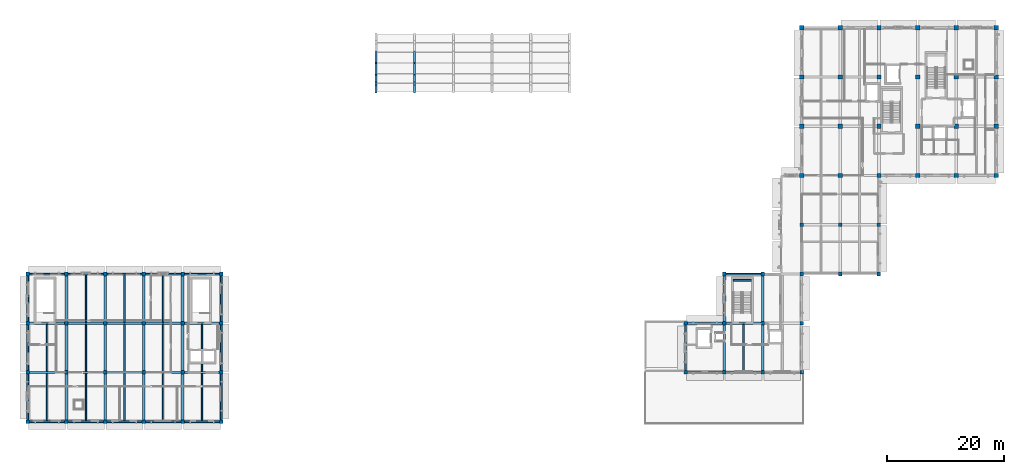
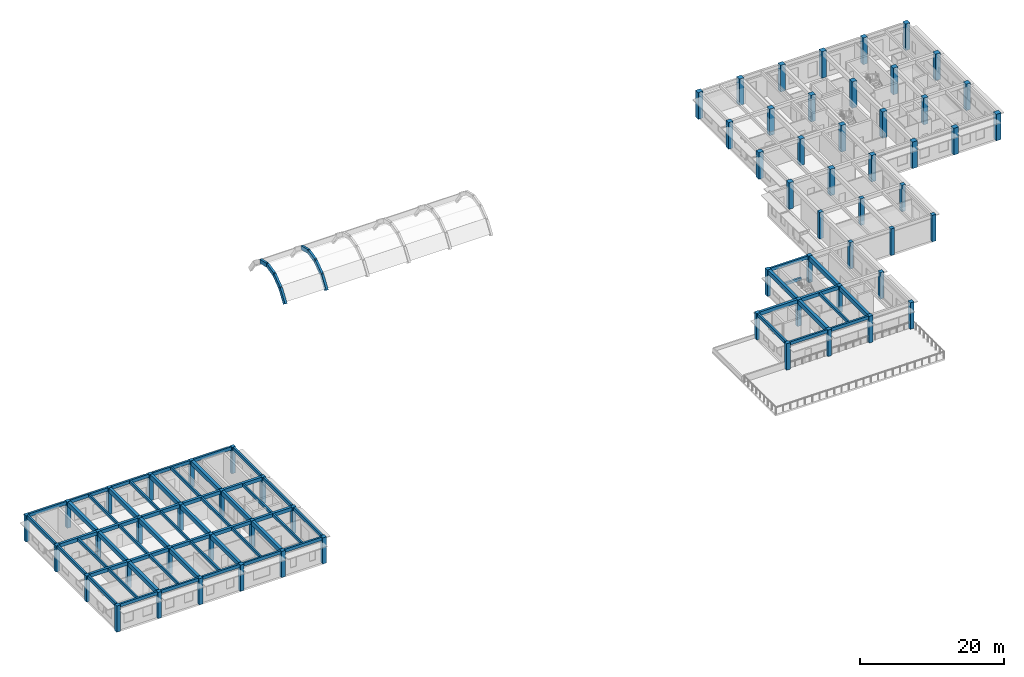
# One storey, part 1 of 20: 71 beams, 64 columns.
"""IFC4 building model written with IfcOpenShell, lengths in metres."""

from ifc_helpers import new_model, si_unit, direction, frame, origin, origin_2d, place, context, subcontext, project, spatial, rectangle, extrude, material, material_profile, profile_set, type_object, element, save


model = new_model("IFC4")

# Units and contexts
model_context = context("Model", 3, precision=1e-05, world=origin(), true_north=direction((0.0, 1.0)))
body_context = subcontext(model_context, "Body", "Model", "MODEL_VIEW")
ifc_project = project(units=[si_unit("LENGTHUNIT", "METRE"), si_unit("AREAUNIT", "SQUARE_METRE"), si_unit("VOLUMEUNIT", "CUBIC_METRE"), si_unit("PLANEANGLEUNIT", "RADIAN"), si_unit("MASSUNIT", "GRAM", prefix="KILO")], contexts=[model_context])

# Site, building, storey
site_placement = place(None, origin())
site = spatial("IfcSite", under=ifc_project, at=site_placement, CompositionType="ELEMENT")
building_placement = place(site_placement, origin())
building = spatial("IfcBuilding", under=site, at=building_placement, Name="Kolvaren Faculty of Natural Sciences", CompositionType="ELEMENT")
storey_placement = place(building_placement, frame((0.0, 0.0, 24.0)))
storey = spatial("IfcBuildingStorey", under=building, at=storey_placement, Name="L05", CompositionType="ELEMENT", Elevation=24.0)

# Columns
ifc_material_1 = material(Name="Concrete C35/45", Category="concrete")
ifc_material_profile_1 = material_profile(ifc_material_1, rectangle(XDim=0.60009765625, YDim=0.60009765625, at=origin_2d()), Name="RC COL 600x600")
ifc_profile_set_1 = profile_set([ifc_material_profile_1], Name="Concrete C35/45")
column_type_1 = type_object("IfcColumnType", Name="FrameColumn_600x600", PredefinedType="COLUMN", material=ifc_profile_set_1)
for number, where, z_axis, x_axis, name in (
    (1, (6.800048828125, 17.0, 0.0), (0.0, 0.0, 1.0), (1.0, 0.0, 0.0), "L05 column FC-60 at 2/C"),
    (2, (6.800048828125, 25.39990234375, 0.0), (0.0, 0.0, 1.0), (1.0, 0.0, 0.0), "L05 column FC-60 at 2/D"),
    (3, (6.800048828125, 33.800048828125, 0.0), (0.0, 0.0, 1.0), (1.0, 0.0, 0.0), "L05 column FC-60 at 2/E"),
    (4, (6.800048828125, 42.199951171875, 0.0), (0.0, 0.0, 1.0), (1.0, 0.0, 0.0), "L05 column FC-60 at 2/F"),
    (5, (13.39990234375, 17.0, 0.0), (0.0, 0.0, 1.0), (1.0, 0.0, 0.0), "L05 column FC-60 at 3/C"),
    (6, (13.39990234375, 25.39990234375, 0.0), (0.0, 0.0, 1.0), (1.0, 0.0, 0.0), "L05 column FC-60 at 3/D"),
    (7, (13.39990234375, 33.800048828125, 0.0), (0.0, 0.0, 1.0), (1.0, 0.0, 0.0), "L05 column FC-60 at 3/E"),
    (8, (13.39990234375, 42.199951171875, 0.0), (0.0, 0.0, 1.0), (1.0, 0.0, 0.0), "L05 column FC-60 at 3/F"),
    (9, (20.0, 17.0, 0.0), (0.0, 0.0, 1.0), (1.0, 0.0, 0.0), "L05 column FC-60 at 4/C"),
    (10, (20.0, 25.39990234375, 0.0), (0.0, 0.0, 1.0), (1.0, 0.0, 0.0), "L05 column FC-60 at 4/D"),
    (11, (20.0, 33.800048828125, 0.0), (0.0, 0.0, 1.0), (1.0, 0.0, 0.0), "L05 column FC-60 at 4/E"),
    (12, (20.0, 42.199951171875, 0.0), (0.0, 0.0, 1.0), (1.0, 0.0, 0.0), "L05 column FC-60 at 4/F"),
    (13, (26.60009765625, 17.0, 0.0), (0.0, 0.0, 1.0), (1.0, 0.0, 0.0), "L05 column FC-60 at 5/C"),
    (14, (26.60009765625, 25.39990234375, 0.0), (0.0, 0.0, 1.0), (1.0, 0.0, 0.0), "L05 column FC-60 at 5/D"),
    (15, (26.60009765625, 33.800048828125, 0.0), (0.0, 0.0, 1.0), (1.0, 0.0, 0.0), "L05 column FC-60 at 5/E"),
    (16, (26.60009765625, 42.199951171875, 0.0), (0.0, 0.0, 1.0), (1.0, 0.0, 0.0), "L05 column FC-60 at 5/F"),
    (17, (33.199951171875, 17.0, 0.0), (0.0, 0.0, 1.0), (1.0, 0.0, 0.0), "L05 column FC-60 at 6/C"),
    (18, (33.199951171875, 25.39990234375, 0.0), (0.0, 0.0, 1.0), (1.0, 0.0, 0.0), "L05 column FC-60 at 6/D"),
    (19, (33.199951171875, 33.800048828125, 0.0), (0.0, 0.0, 1.0), (1.0, 0.0, 0.0), "L05 column FC-60 at 6/E"),
    (20, (33.199951171875, 42.199951171875, 0.0), (0.0, 0.0, 1.0), (1.0, 0.0, 0.0), "L05 column FC-60 at 6/F"),
    (21, (39.800048828125, 17.0, 0.0), (0.0, 0.0, 1.0), (1.0, 0.0, 0.0), "L05 column FC-60 at 7/C"),
    (22, (39.800048828125, 25.39990234375, 0.0), (0.0, 0.0, 1.0), (1.0, 0.0, 0.0), "L05 column FC-60 at 7/D"),
    (23, (39.800048828125, 33.800048828125, 0.0), (0.0, 0.0, 1.0), (1.0, 0.0, 0.0), "L05 column FC-60 at 7/E"),
    (24, (39.800048828125, 42.199951171875, 0.0), (0.0, 0.0, 1.0), (1.0, 0.0, 0.0), "L05 column FC-60 at 7/F"),
):
    element("IfcColumn", number, at=place(storey_placement, frame(where, z_axis=z_axis, x_axis=x_axis)), inside=storey, type_object=column_type_1, Name=name, PredefinedType="COLUMN", context=body_context, shape_type="SweptSolid", body=[
        extrude(rectangle(XDim=0.60009765625, YDim=0.60009765625, at=origin_2d()), origin(), (0.0, 0.0, 1.0), 4.43994140625),
    ])
for number, where, z_axis, x_axis, name in (
    (25, (119.0, 25.39990234375, 0.0), (0.0, 0.0, 1.0), (1.0, 0.0, 0.0), "L05 column FC-60 at 19/D"),
    (26, (119.0, 33.800048828125, 0.0), (0.0, 0.0, 1.0), (1.0, 0.0, 0.0), "L05 column FC-60 at 19/E"),
    (27, (125.60009765625, 25.39990234375, 0.0), (0.0, 0.0, 1.0), (1.0, 0.0, 0.0), "L05 column FC-60 at 20/D"),
    (28, (125.60009765625, 33.800048828125, 0.0), (0.0, 0.0, 1.0), (1.0, 0.0, 0.0), "L05 column FC-60 at 20/E"),
    (29, (125.60009765625, 42.199951171875, 0.0), (0.0, 0.0, 1.0), (1.0, 0.0, 0.0), "L05 column FC-60 at 20/F"),
    (30, (132.199951171875, 25.39990234375, 0.0), (0.0, 0.0, 1.0), (1.0, 0.0, 0.0), "L05 column FC-60 at 21/D"),
    (31, (132.199951171875, 33.800048828125, 0.0), (0.0, 0.0, 1.0), (1.0, 0.0, 0.0), "L05 column FC-60 at 21/E"),
    (32, (132.199951171875, 42.199951171875, 0.0), (0.0, 0.0, 1.0), (1.0, 0.0, 0.0), "L05 column FC-60 at 21/F"),
    (33, (138.800048828125, 25.39990234375, 0.0), (0.0, 0.0, 1.0), (1.0, 0.0, 0.0), "L05 column FC-60 at 22/D"),
    (34, (138.800048828125, 33.800048828125, 0.0), (0.0, 0.0, 1.0), (1.0, 0.0, 0.0), "L05 column FC-60 at 22/E"),
    (35, (138.800048828125, 42.199951171875, 0.0), (0.0, 0.0, 1.0), (1.0, 0.0, 0.0), "L05 column FC-60 at 22/F"),
    (36, (138.800048828125, 50.60009765625, 0.0), (0.0, 0.0, 1.0), (1.0, 0.0, 0.0), "L05 column FC-60 at 22/G"),
    (37, (145.39990234375, 42.199951171875, 0.0), (0.0, 0.0, 1.0), (1.0, 0.0, 0.0), "L05 column FC-60 at 23/F"),
    (38, (145.39990234375, 50.60009765625, 0.0), (0.0, 0.0, 1.0), (1.0, 0.0, 0.0), "L05 column FC-60 at 23/G"),
    (39, (152.0, 42.199951171875, 0.0), (0.0, 0.0, 1.0), (1.0, 0.0, 0.0), "L05 column FC-60 at 24/F"),
    (40, (152.0, 50.60009765625, 0.0), (0.0, 0.0, 1.0), (1.0, 0.0, 0.0), "L05 column FC-60 at 24/G"),
):
    element("IfcColumn", number, at=place(storey_placement, frame(where, z_axis=z_axis, x_axis=x_axis)), inside=storey, type_object=column_type_1, Name=name, PredefinedType="COLUMN", context=body_context, shape_type="SweptSolid", body=[
        extrude(rectangle(XDim=0.60009765625, YDim=0.60009765625, at=origin_2d()), origin(), (0.0, 0.0, 1.0), 4.5),
    ])
ifc_material_2 = material(Name="Concrete C40/50", Category="concrete")
ifc_material_profile_2 = material_profile(ifc_material_2, rectangle(XDim=0.75, YDim=0.75, at=origin_2d()), Name="RC COL 750x750")
ifc_profile_set_2 = profile_set([ifc_material_profile_2], Name="Concrete C40/50")
column_type_2 = type_object("IfcColumnType", Name="TowerColumn_750x750", PredefinedType="COLUMN", material=ifc_profile_set_2)
for number, where, z_axis, x_axis, name in (
    (41, (138.800048828125, 59.0, 0.0), (0.0, 0.0, 1.0), (1.0, 0.0, 0.0), "L05 column TC-75 at 22/H"),
    (42, (138.800048828125, 67.39990234375, 0.0), (0.0, 0.0, 1.0), (1.0, 0.0, 0.0), "L05 column TC-75 at 22/J"),
    (43, (138.800048828125, 75.800048828125, 0.0), (0.0, 0.0, 1.0), (1.0, 0.0, 0.0), "L05 column TC-75 at 22/K"),
    (44, (138.800048828125, 84.199951171875, 0.0), (0.0, 0.0, 1.0), (1.0, 0.0, 0.0), "L05 column TC-75 at 22/L"),
    (45, (145.39990234375, 59.0, 0.0), (0.0, 0.0, 1.0), (1.0, 0.0, 0.0), "L05 column TC-75 at 23/H"),
    (46, (145.39990234375, 67.39990234375, 0.0), (0.0, 0.0, 1.0), (1.0, 0.0, 0.0), "L05 column TC-75 at 23/J"),
    (47, (145.39990234375, 75.800048828125, 0.0), (0.0, 0.0, 1.0), (1.0, 0.0, 0.0), "L05 column TC-75 at 23/K"),
    (48, (145.39990234375, 84.199951171875, 0.0), (0.0, 0.0, 1.0), (1.0, 0.0, 0.0), "L05 column TC-75 at 23/L"),
    (49, (152.0, 59.0, 0.0), (0.0, 0.0, 1.0), (1.0, 0.0, 0.0), "L05 column TC-75 at 24/H"),
    (50, (152.0, 67.39990234375, 0.0), (0.0, 0.0, 1.0), (1.0, 0.0, 0.0), "L05 column TC-75 at 24/J"),
    (51, (152.0, 75.800048828125, 0.0), (0.0, 0.0, 1.0), (1.0, 0.0, 0.0), "L05 column TC-75 at 24/K"),
    (52, (152.0, 84.199951171875, 0.0), (0.0, 0.0, 1.0), (1.0, 0.0, 0.0), "L05 column TC-75 at 24/L"),
    (53, (158.60009765625, 59.0, 0.0), (0.0, 0.0, 1.0), (1.0, 0.0, 0.0), "L05 column TC-75 at 25/H"),
    (54, (158.60009765625, 67.39990234375, 0.0), (0.0, 0.0, 1.0), (1.0, 0.0, 0.0), "L05 column TC-75 at 25/J"),
    (55, (158.60009765625, 75.800048828125, 0.0), (0.0, 0.0, 1.0), (1.0, 0.0, 0.0), "L05 column TC-75 at 25/K"),
    (56, (158.60009765625, 84.199951171875, 0.0), (0.0, 0.0, 1.0), (1.0, 0.0, 0.0), "L05 column TC-75 at 25/L"),
    (57, (165.199951171875, 59.0, 0.0), (0.0, 0.0, 1.0), (1.0, 0.0, 0.0), "L05 column TC-75 at 26/H"),
    (58, (165.199951171875, 67.39990234375, 0.0), (0.0, 0.0, 1.0), (1.0, 0.0, 0.0), "L05 column TC-75 at 26/J"),
    (59, (165.199951171875, 75.800048828125, 0.0), (0.0, 0.0, 1.0), (1.0, 0.0, 0.0), "L05 column TC-75 at 26/K"),
    (60, (165.199951171875, 84.199951171875, 0.0), (0.0, 0.0, 1.0), (1.0, 0.0, 0.0), "L05 column TC-75 at 26/L"),
    (61, (172.0, 59.0, 0.0), (0.0, 0.0, 1.0), (1.0, 0.0, 0.0), "L05 column TC-75 at 27/H"),
    (62, (172.0, 67.39990234375, 0.0), (0.0, 0.0, 1.0), (1.0, 0.0, 0.0), "L05 column TC-75 at 27/J"),
    (63, (172.0, 75.800048828125, 0.0), (0.0, 0.0, 1.0), (1.0, 0.0, 0.0), "L05 column TC-75 at 27/K"),
    (64, (172.0, 84.199951171875, 0.0), (0.0, 0.0, 1.0), (1.0, 0.0, 0.0), "L05 column TC-75 at 27/L"),
):
    element("IfcColumn", number, at=place(storey_placement, frame(where, z_axis=z_axis, x_axis=x_axis)), inside=storey, type_object=column_type_2, Name=name, PredefinedType="COLUMN", context=body_context, shape_type="SweptSolid", body=[
        extrude(rectangle(XDim=0.75, YDim=0.75, at=origin_2d()), origin(), (0.0, 0.0, 1.0), 4.5),
    ])

# Beams
ifc_material_profile_3 = material_profile(ifc_material_2, rectangle(XDim=0.300048828125, YDim=0.449951171875, at=origin_2d()), Name="RC LNT 300x450")
ifc_profile_set_3 = profile_set([ifc_material_profile_3], Name="Concrete C40/50")
beam_type_1 = type_object("IfcBeamType", Name="CoreCouplingLintel_300x450", PredefinedType="LINTEL", material=ifc_profile_set_3)
beam_1_placement = place(storey_placement, frame((127.175048828125, 41.1298828125, 1.824951171875), z_axis=(1.0, 0.0, 0.0), x_axis=(0.0, 1.0, 0.0)))
element("IfcBeam", 65, at=beam_1_placement, inside=storey, type_object=beam_type_1, Name="L05 ST-3 half-landing support lintel", PredefinedType="LINTEL", context=body_context, shape_type="SweptSolid", body=[
    extrude(rectangle(XDim=0.300048828125, YDim=0.449951171875, at=origin_2d()), origin(), (0.0, 0.0, 1.0), 3.050048828125),
])
ifc_material_profile_4 = material_profile(ifc_material_1, rectangle(XDim=0.39990234375, YDim=0.60009765625, at=origin_2d()), Name="RC BM 400x600")
ifc_profile_set_4 = profile_set([ifc_material_profile_4], Name="Concrete C35/45")
beam_type_2 = type_object("IfcBeamType", Name="GridBeam_400x600", PredefinedType="BEAM", material=ifc_profile_set_4)
for number, where, z_axis, x_axis, name in (
    (66, (7.10009765625, 25.39990234375, 4.199951171875), (1.0, 0.0, 0.0), (0.0, 1.0, 0.0), "L05 beam BM-60 on grid D"),
    (67, (13.699951171875, 25.39990234375, 4.199951171875), (1.0, 0.0, 0.0), (0.0, 1.0, 0.0), "L05 beam BM-60 on grid D"),
    (68, (20.300048828125, 25.39990234375, 4.199951171875), (1.0, 0.0, 0.0), (0.0, 1.0, 0.0), "L05 beam BM-60 on grid D"),
    (69, (26.89990234375, 25.39990234375, 4.199951171875), (1.0, 0.0, 0.0), (0.0, 1.0, 0.0), "L05 beam BM-60 on grid D"),
    (70, (33.5, 25.39990234375, 4.199951171875), (1.0, 0.0, 0.0), (0.0, 1.0, 0.0), "L05 beam BM-60 on grid D"),
    (71, (7.10009765625, 33.800048828125, 4.199951171875), (1.0, 0.0, 0.0), (0.0, 1.0, 0.0), "L05 beam BM-60 on grid E"),
    (72, (13.699951171875, 33.800048828125, 4.199951171875), (1.0, 0.0, 0.0), (0.0, 1.0, 0.0), "L05 beam BM-60 on grid E"),
    (73, (20.300048828125, 33.800048828125, 4.199951171875), (1.0, 0.0, 0.0), (0.0, 1.0, 0.0), "L05 beam BM-60 on grid E"),
    (74, (26.89990234375, 33.800048828125, 4.199951171875), (1.0, 0.0, 0.0), (0.0, 1.0, 0.0), "L05 beam BM-60 on grid E"),
    (75, (33.5, 33.800048828125, 4.199951171875), (1.0, 0.0, 0.0), (0.0, 1.0, 0.0), "L05 beam BM-60 on grid E"),
    (76, (119.300048828125, 33.800048828125, 4.199951171875), (1.0, 0.0, 0.0), (0.0, 1.0, 0.0), "L05 beam BM-60 on grid E"),
    (77, (125.89990234375, 33.800048828125, 4.199951171875), (1.0, 0.0, 0.0), (0.0, 1.0, 0.0), "L05 beam BM-60 on grid E"),
):
    element("IfcBeam", number, at=place(storey_placement, frame(where, z_axis=z_axis, x_axis=x_axis)), inside=storey, type_object=beam_type_2, Name=name, PredefinedType="BEAM", context=body_context, shape_type="SweptSolid", body=[
        extrude(rectangle(XDim=0.39990234375, YDim=0.60009765625, at=origin_2d()), origin(), (0.0, 0.0, 1.0), 6.0),
    ])
ifc_material_profile_5 = material_profile(ifc_material_1, rectangle(XDim=0.260009765625, YDim=0.5, at=origin_2d()), Name="RC JST 260x500")
ifc_profile_set_5 = profile_set([ifc_material_profile_5], Name="Concrete C35/45")
beam_type_3 = type_object("IfcBeamType", Name="LabRibJoist_260x500", PredefinedType="JOIST", material=ifc_profile_set_5)
beam_2_placement = place(storey_placement, frame((10.10009765625, 17.14990234375, 4.25), z_axis=(0.0, 1.0, 0.0), x_axis=(-1.0, 0.0, 0.0)))
element("IfcBeam", 78, at=beam_2_placement, inside=storey, type_object=beam_type_3, Name="L05 ribbed laboratory slab joist JS-50", PredefinedType="JOIST", context=body_context, shape_type="SweptSolid", body=[
    extrude(rectangle(XDim=0.260009765625, YDim=0.5, at=origin_2d()), origin(), (0.0, 0.0, 1.0), 8.050048828125),
])
beam_3_placement = place(storey_placement, frame((10.10009765625, 25.60009765625, 4.25), z_axis=(0.0, 1.0, 0.0), x_axis=(-1.0, 0.0, 0.0)))
element("IfcBeam", 79, at=beam_3_placement, inside=storey, type_object=beam_type_3, Name="L05 ribbed laboratory slab joist JS-50", PredefinedType="JOIST", context=body_context, shape_type="SweptSolid", body=[
    extrude(rectangle(XDim=0.260009765625, YDim=0.5, at=origin_2d()), origin(), (0.0, 0.0, 1.0), 8.0),
])
beam_4_placement = place(storey_placement, frame((16.699951171875, 17.14990234375, 4.25), z_axis=(0.0, 1.0, 0.0), x_axis=(-1.0, 0.0, 0.0)))
element("IfcBeam", 80, at=beam_4_placement, inside=storey, type_object=beam_type_3, Name="L05 ribbed laboratory slab joist JS-50", PredefinedType="JOIST", context=body_context, shape_type="SweptSolid", body=[
    extrude(rectangle(XDim=0.260009765625, YDim=0.5, at=origin_2d()), origin(), (0.0, 0.0, 1.0), 8.050048828125),
])
beam_5_placement = place(storey_placement, frame((16.699951171875, 25.60009765625, 4.25), z_axis=(0.0, 1.0, 0.0), x_axis=(-1.0, 0.0, 0.0)))
element("IfcBeam", 81, at=beam_5_placement, inside=storey, type_object=beam_type_3, Name="L05 ribbed laboratory slab joist JS-50", PredefinedType="JOIST", context=body_context, shape_type="SweptSolid", body=[
    extrude(rectangle(XDim=0.260009765625, YDim=0.5, at=origin_2d()), origin(), (0.0, 0.0, 1.0), 8.0),
])
for number, where, z_axis, x_axis, name in (
    (82, (16.699951171875, 34.0, 4.25), (0.0, 1.0, 0.0), (-1.0, 0.0, 0.0), "L05 ribbed laboratory slab joist JS-50"),
    (83, (23.300048828125, 17.14990234375, 4.25), (0.0, 1.0, 0.0), (-1.0, 0.0, 0.0), "L05 ribbed laboratory slab joist JS-50"),
):
    element("IfcBeam", number, at=place(storey_placement, frame(where, z_axis=z_axis, x_axis=x_axis)), inside=storey, type_object=beam_type_3, Name=name, PredefinedType="JOIST", context=body_context, shape_type="SweptSolid", body=[
        extrude(rectangle(XDim=0.260009765625, YDim=0.5, at=origin_2d()), origin(), (0.0, 0.0, 1.0), 8.050048828125),
    ])
beam_6_placement = place(storey_placement, frame((23.300048828125, 25.60009765625, 4.25), z_axis=(0.0, 1.0, 0.0), x_axis=(-1.0, 0.0, 0.0)))
element("IfcBeam", 84, at=beam_6_placement, inside=storey, type_object=beam_type_3, Name="L05 ribbed laboratory slab joist JS-50", PredefinedType="JOIST", context=body_context, shape_type="SweptSolid", body=[
    extrude(rectangle(XDim=0.260009765625, YDim=0.5, at=origin_2d()), origin(), (0.0, 0.0, 1.0), 8.0),
])
for number, where, z_axis, x_axis, name in (
    (85, (23.300048828125, 34.0, 4.25), (0.0, 1.0, 0.0), (-1.0, 0.0, 0.0), "L05 ribbed laboratory slab joist JS-50"),
    (86, (29.89990234375, 17.14990234375, 4.25), (0.0, 1.0, 0.0), (-1.0, 0.0, 0.0), "L05 ribbed laboratory slab joist JS-50"),
):
    element("IfcBeam", number, at=place(storey_placement, frame(where, z_axis=z_axis, x_axis=x_axis)), inside=storey, type_object=beam_type_3, Name=name, PredefinedType="JOIST", context=body_context, shape_type="SweptSolid", body=[
        extrude(rectangle(XDim=0.260009765625, YDim=0.5, at=origin_2d()), origin(), (0.0, 0.0, 1.0), 8.050048828125),
    ])
beam_7_placement = place(storey_placement, frame((29.89990234375, 25.60009765625, 4.25), z_axis=(0.0, 1.0, 0.0), x_axis=(-1.0, 0.0, 0.0)))
element("IfcBeam", 87, at=beam_7_placement, inside=storey, type_object=beam_type_3, Name="L05 ribbed laboratory slab joist JS-50", PredefinedType="JOIST", context=body_context, shape_type="SweptSolid", body=[
    extrude(rectangle(XDim=0.260009765625, YDim=0.5, at=origin_2d()), origin(), (0.0, 0.0, 1.0), 8.0),
])
for number, where, z_axis, x_axis, name in (
    (88, (29.89990234375, 34.0, 4.25), (0.0, 1.0, 0.0), (-1.0, 0.0, 0.0), "L05 ribbed laboratory slab joist JS-50"),
    (89, (36.5, 17.14990234375, 4.25), (0.0, 1.0, 0.0), (-1.0, 0.0, 0.0), "L05 ribbed laboratory slab joist JS-50"),
):
    element("IfcBeam", number, at=place(storey_placement, frame(where, z_axis=z_axis, x_axis=x_axis)), inside=storey, type_object=beam_type_3, Name=name, PredefinedType="JOIST", context=body_context, shape_type="SweptSolid", body=[
        extrude(rectangle(XDim=0.260009765625, YDim=0.5, at=origin_2d()), origin(), (0.0, 0.0, 1.0), 8.050048828125),
    ])
beam_8_placement = place(storey_placement, frame((36.5, 25.60009765625, 4.25), z_axis=(0.0, 1.0, 0.0), x_axis=(-1.0, 0.0, 0.0)))
element("IfcBeam", 90, at=beam_8_placement, inside=storey, type_object=beam_type_3, Name="L05 ribbed laboratory slab joist JS-50", PredefinedType="JOIST", context=body_context, shape_type="SweptSolid", body=[
    extrude(rectangle(XDim=0.260009765625, YDim=0.5, at=origin_2d()), origin(), (0.0, 0.0, 1.0), 8.0),
])
beam_9_placement = place(storey_placement, frame((128.89990234375, 25.550048828125, 4.25), z_axis=(0.0, 1.0, 0.0), x_axis=(-1.0, 0.0, 0.0)))
element("IfcBeam", 91, at=beam_9_placement, inside=storey, type_object=beam_type_3, Name="L05 ribbed laboratory slab joist JS-50", PredefinedType="JOIST", context=body_context, shape_type="SweptSolid", body=[
    extrude(rectangle(XDim=0.260009765625, YDim=0.5, at=origin_2d()), origin(), (0.0, 0.0, 1.0), 8.050048828125),
])
ifc_material_profile_6 = material_profile(ifc_material_1, rectangle(XDim=0.300048828125, YDim=0.550048828125, at=origin_2d()), Name="RC SP 300x550")
ifc_profile_set_6 = profile_set([ifc_material_profile_6], Name="Concrete C35/45")
beam_type_4 = type_object("IfcBeamType", Name="PerimeterSpandrel_300x550", PredefinedType="SPANDREL", material=ifc_profile_set_6)
for number, where, z_axis, x_axis, name in (
    (92, (7.10009765625, 17.0, 4.22509765625), (1.0, 0.0, 0.0), (0.0, 1.0, 0.0), "L05 spandrel SP-55 on grid C"),
    (93, (13.699951171875, 17.0, 4.22509765625), (1.0, 0.0, 0.0), (0.0, 1.0, 0.0), "L05 spandrel SP-55 on grid C"),
    (94, (20.300048828125, 17.0, 4.22509765625), (1.0, 0.0, 0.0), (0.0, 1.0, 0.0), "L05 spandrel SP-55 on grid C"),
    (95, (26.89990234375, 17.0, 4.22509765625), (1.0, 0.0, 0.0), (0.0, 1.0, 0.0), "L05 spandrel SP-55 on grid C"),
    (96, (33.5, 17.0, 4.22509765625), (1.0, 0.0, 0.0), (0.0, 1.0, 0.0), "L05 spandrel SP-55 on grid C"),
    (97, (119.300048828125, 25.39990234375, 4.22509765625), (1.0, 0.0, 0.0), (0.0, 1.0, 0.0), "L05 spandrel SP-55 on grid D"),
    (98, (125.89990234375, 25.39990234375, 4.22509765625), (1.0, 0.0, 0.0), (0.0, 1.0, 0.0), "L05 spandrel SP-55 on grid D"),
    (99, (7.10009765625, 42.199951171875, 4.22509765625), (1.0, 0.0, 0.0), (0.0, 1.0, 0.0), "L05 spandrel SP-55 on grid F"),
    (100, (13.699951171875, 42.199951171875, 4.22509765625), (1.0, 0.0, 0.0), (0.0, 1.0, 0.0), "L05 spandrel SP-55 on grid F"),
    (101, (20.300048828125, 42.199951171875, 4.22509765625), (1.0, 0.0, 0.0), (0.0, 1.0, 0.0), "L05 spandrel SP-55 on grid F"),
    (102, (26.89990234375, 42.199951171875, 4.22509765625), (1.0, 0.0, 0.0), (0.0, 1.0, 0.0), "L05 spandrel SP-55 on grid F"),
    (103, (33.5, 42.199951171875, 4.22509765625), (1.0, 0.0, 0.0), (0.0, 1.0, 0.0), "L05 spandrel SP-55 on grid F"),
    (104, (125.89990234375, 42.199951171875, 4.22509765625), (1.0, 0.0, 0.0), (0.0, 1.0, 0.0), "L05 spandrel SP-55 on grid F"),
):
    element("IfcBeam", number, at=place(storey_placement, frame(where, z_axis=z_axis, x_axis=x_axis)), inside=storey, type_object=beam_type_4, Name=name, PredefinedType="SPANDREL", context=body_context, shape_type="SweptSolid", body=[
        extrude(rectangle(XDim=0.300048828125, YDim=0.550048828125, at=origin_2d()), origin(), (0.0, 0.0, 1.0), 6.0),
    ])
for number, where, z_axis, x_axis, name in (
    (105, (6.800048828125, 17.300048828125, 4.22509765625), (0.0, 1.0, 0.0), (-1.0, 0.0, 0.0), "L05 girder SP-55 on grid 2"),
    (106, (6.800048828125, 25.699951171875, 4.22509765625), (0.0, 1.0, 0.0), (-1.0, 0.0, 0.0), "L05 girder SP-55 on grid 2"),
):
    element("IfcBeam", number, at=place(storey_placement, frame(where, z_axis=z_axis, x_axis=x_axis)), inside=storey, type_object=beam_type_4, Name=name, PredefinedType="SPANDREL", context=body_context, shape_type="SweptSolid", body=[
        extrude(rectangle(XDim=0.300048828125, YDim=0.550048828125, at=origin_2d()), origin(), (0.0, 0.0, 1.0), 7.800048828125),
    ])
beam_10_placement = place(storey_placement, frame((6.800048828125, 34.10009765625, 4.22509765625), z_axis=(0.0, 1.0, 0.0), x_axis=(-1.0, 0.0, 0.0)))
element("IfcBeam", 107, at=beam_10_placement, inside=storey, type_object=beam_type_4, Name="L05 girder SP-55 on grid 2", PredefinedType="SPANDREL", context=body_context, shape_type="SweptSolid", body=[
    extrude(rectangle(XDim=0.300048828125, YDim=0.550048828125, at=origin_2d()), origin(), (0.0, 0.0, 1.0), 7.7998046875),
])
for number, where, z_axis, x_axis, name in (
    (108, (39.800048828125, 17.300048828125, 4.22509765625), (0.0, 1.0, 0.0), (-1.0, 0.0, 0.0), "L05 girder SP-55 on grid 7"),
    (109, (39.800048828125, 25.699951171875, 4.22509765625), (0.0, 1.0, 0.0), (-1.0, 0.0, 0.0), "L05 girder SP-55 on grid 7"),
):
    element("IfcBeam", number, at=place(storey_placement, frame(where, z_axis=z_axis, x_axis=x_axis)), inside=storey, type_object=beam_type_4, Name=name, PredefinedType="SPANDREL", context=body_context, shape_type="SweptSolid", body=[
        extrude(rectangle(XDim=0.300048828125, YDim=0.550048828125, at=origin_2d()), origin(), (0.0, 0.0, 1.0), 7.800048828125),
    ])
beam_11_placement = place(storey_placement, frame((39.800048828125, 34.10009765625, 4.22509765625), z_axis=(0.0, 1.0, 0.0), x_axis=(-1.0, 0.0, 0.0)))
element("IfcBeam", 110, at=beam_11_placement, inside=storey, type_object=beam_type_4, Name="L05 girder SP-55 on grid 7", PredefinedType="SPANDREL", context=body_context, shape_type="SweptSolid", body=[
    extrude(rectangle(XDim=0.300048828125, YDim=0.550048828125, at=origin_2d()), origin(), (0.0, 0.0, 1.0), 7.7998046875),
])
beam_12_placement = place(storey_placement, frame((119.0, 25.699951171875, 4.22509765625), z_axis=(0.0, 1.0, 0.0), x_axis=(-1.0, 0.0, 0.0)))
element("IfcBeam", 111, at=beam_12_placement, inside=storey, type_object=beam_type_4, Name="L05 girder SP-55 on grid 19", PredefinedType="SPANDREL", context=body_context, shape_type="SweptSolid", body=[
    extrude(rectangle(XDim=0.300048828125, YDim=0.550048828125, at=origin_2d()), origin(), (0.0, 0.0, 1.0), 7.800048828125),
])
ifc_material_profile_7 = material_profile(ifc_material_1, rectangle(XDim=0.449951171875, YDim=0.75, at=origin_2d()), Name="RC BM 450x750")
ifc_profile_set_7 = profile_set([ifc_material_profile_7], Name="Concrete C35/45")
beam_type_5 = type_object("IfcBeamType", Name="PrimaryGirder_450x750", PredefinedType="BEAM", material=ifc_profile_set_7)
for number, where, z_axis, x_axis, name in (
    (112, (13.39990234375, 17.300048828125, 4.125), (0.0, 1.0, 0.0), (-1.0, 0.0, 0.0), "L05 girder BG-75 on grid 3"),
    (113, (13.39990234375, 25.699951171875, 4.125), (0.0, 1.0, 0.0), (-1.0, 0.0, 0.0), "L05 girder BG-75 on grid 3"),
):
    element("IfcBeam", number, at=place(storey_placement, frame(where, z_axis=z_axis, x_axis=x_axis)), inside=storey, type_object=beam_type_5, Name=name, PredefinedType="BEAM", context=body_context, shape_type="SweptSolid", body=[
        extrude(rectangle(XDim=0.449951171875, YDim=0.75, at=origin_2d()), origin(), (0.0, 0.0, 1.0), 7.800048828125),
    ])
beam_13_placement = place(storey_placement, frame((13.39990234375, 34.10009765625, 4.125), z_axis=(0.0, 1.0, 0.0), x_axis=(-1.0, 0.0, 0.0)))
element("IfcBeam", 114, at=beam_13_placement, inside=storey, type_object=beam_type_5, Name="L05 girder BG-75 on grid 3", PredefinedType="BEAM", context=body_context, shape_type="SweptSolid", body=[
    extrude(rectangle(XDim=0.449951171875, YDim=0.75, at=origin_2d()), origin(), (0.0, 0.0, 1.0), 7.7998046875),
])
for number, where, z_axis, x_axis, name in (
    (115, (20.0, 17.300048828125, 4.125), (0.0, 1.0, 0.0), (-1.0, 0.0, 0.0), "L05 girder BG-75 on grid 4"),
    (116, (20.0, 25.699951171875, 4.125), (0.0, 1.0, 0.0), (-1.0, 0.0, 0.0), "L05 girder BG-75 on grid 4"),
):
    element("IfcBeam", number, at=place(storey_placement, frame(where, z_axis=z_axis, x_axis=x_axis)), inside=storey, type_object=beam_type_5, Name=name, PredefinedType="BEAM", context=body_context, shape_type="SweptSolid", body=[
        extrude(rectangle(XDim=0.449951171875, YDim=0.75, at=origin_2d()), origin(), (0.0, 0.0, 1.0), 7.800048828125),
    ])
beam_14_placement = place(storey_placement, frame((20.0, 34.10009765625, 4.125), z_axis=(0.0, 1.0, 0.0), x_axis=(-1.0, 0.0, 0.0)))
element("IfcBeam", 117, at=beam_14_placement, inside=storey, type_object=beam_type_5, Name="L05 girder BG-75 on grid 4", PredefinedType="BEAM", context=body_context, shape_type="SweptSolid", body=[
    extrude(rectangle(XDim=0.449951171875, YDim=0.75, at=origin_2d()), origin(), (0.0, 0.0, 1.0), 7.7998046875),
])
for number, where, z_axis, x_axis, name in (
    (118, (26.60009765625, 17.300048828125, 4.125), (0.0, 1.0, 0.0), (-1.0, 0.0, 0.0), "L05 girder BG-75 on grid 5"),
    (119, (26.60009765625, 25.699951171875, 4.125), (0.0, 1.0, 0.0), (-1.0, 0.0, 0.0), "L05 girder BG-75 on grid 5"),
):
    element("IfcBeam", number, at=place(storey_placement, frame(where, z_axis=z_axis, x_axis=x_axis)), inside=storey, type_object=beam_type_5, Name=name, PredefinedType="BEAM", context=body_context, shape_type="SweptSolid", body=[
        extrude(rectangle(XDim=0.449951171875, YDim=0.75, at=origin_2d()), origin(), (0.0, 0.0, 1.0), 7.800048828125),
    ])
beam_15_placement = place(storey_placement, frame((26.60009765625, 34.10009765625, 4.125), z_axis=(0.0, 1.0, 0.0), x_axis=(-1.0, 0.0, 0.0)))
element("IfcBeam", 120, at=beam_15_placement, inside=storey, type_object=beam_type_5, Name="L05 girder BG-75 on grid 5", PredefinedType="BEAM", context=body_context, shape_type="SweptSolid", body=[
    extrude(rectangle(XDim=0.449951171875, YDim=0.75, at=origin_2d()), origin(), (0.0, 0.0, 1.0), 7.7998046875),
])
for number, where, z_axis, x_axis, name in (
    (121, (33.199951171875, 17.300048828125, 4.125), (0.0, 1.0, 0.0), (-1.0, 0.0, 0.0), "L05 girder BG-75 on grid 6"),
    (122, (33.199951171875, 25.699951171875, 4.125), (0.0, 1.0, 0.0), (-1.0, 0.0, 0.0), "L05 girder BG-75 on grid 6"),
):
    element("IfcBeam", number, at=place(storey_placement, frame(where, z_axis=z_axis, x_axis=x_axis)), inside=storey, type_object=beam_type_5, Name=name, PredefinedType="BEAM", context=body_context, shape_type="SweptSolid", body=[
        extrude(rectangle(XDim=0.449951171875, YDim=0.75, at=origin_2d()), origin(), (0.0, 0.0, 1.0), 7.800048828125),
    ])
beam_16_placement = place(storey_placement, frame((33.199951171875, 34.10009765625, 4.125), z_axis=(0.0, 1.0, 0.0), x_axis=(-1.0, 0.0, 0.0)))
element("IfcBeam", 123, at=beam_16_placement, inside=storey, type_object=beam_type_5, Name="L05 girder BG-75 on grid 6", PredefinedType="BEAM", context=body_context, shape_type="SweptSolid", body=[
    extrude(rectangle(XDim=0.449951171875, YDim=0.75, at=origin_2d()), origin(), (0.0, 0.0, 1.0), 7.7998046875),
])
beam_17_placement = place(storey_placement, frame((125.60009765625, 25.699951171875, 4.125), z_axis=(0.0, 1.0, 0.0), x_axis=(-1.0, 0.0, 0.0)))
element("IfcBeam", 124, at=beam_17_placement, inside=storey, type_object=beam_type_5, Name="L05 girder BG-75 on grid 20", PredefinedType="BEAM", context=body_context, shape_type="SweptSolid", body=[
    extrude(rectangle(XDim=0.449951171875, YDim=0.75, at=origin_2d()), origin(), (0.0, 0.0, 1.0), 7.800048828125),
])
beam_18_placement = place(storey_placement, frame((125.60009765625, 34.10009765625, 4.125), z_axis=(0.0, 1.0, 0.0), x_axis=(-1.0, 0.0, 0.0)))
element("IfcBeam", 125, at=beam_18_placement, inside=storey, type_object=beam_type_5, Name="L05 girder BG-75 on grid 20", PredefinedType="BEAM", context=body_context, shape_type="SweptSolid", body=[
    extrude(rectangle(XDim=0.449951171875, YDim=0.75, at=origin_2d()), origin(), (0.0, 0.0, 1.0), 7.7998046875),
])
beam_19_placement = place(storey_placement, frame((132.199951171875, 25.699951171875, 4.125), z_axis=(0.0, 1.0, 0.0), x_axis=(-1.0, 0.0, 0.0)))
element("IfcBeam", 126, at=beam_19_placement, inside=storey, type_object=beam_type_5, Name="L05 girder BG-75 on grid 21", PredefinedType="BEAM", context=body_context, shape_type="SweptSolid", body=[
    extrude(rectangle(XDim=0.449951171875, YDim=0.75, at=origin_2d()), origin(), (0.0, 0.0, 1.0), 7.800048828125),
])
beam_20_placement = place(storey_placement, frame((132.199951171875, 34.10009765625, 4.125), z_axis=(0.0, 1.0, 0.0), x_axis=(-1.0, 0.0, 0.0)))
element("IfcBeam", 127, at=beam_20_placement, inside=storey, type_object=beam_type_5, Name="L05 girder BG-75 on grid 21", PredefinedType="BEAM", context=body_context, shape_type="SweptSolid", body=[
    extrude(rectangle(XDim=0.449951171875, YDim=0.75, at=origin_2d()), origin(), (0.0, 0.0, 1.0), 7.7998046875),
])
ifc_material_profile_8 = material_profile(ifc_material_2, rectangle(XDim=0.35009765625, YDim=0.64990234375, at=origin_2d()), Name="RC RB 350x650")
ifc_profile_set_8 = profile_set([ifc_material_profile_8], Name="Concrete C40/50")
beam_type_6 = type_object("IfcBeamType", Name="ShellArchRib_350x650", PredefinedType="BEAM", material=ifc_profile_set_8)
beam_21_placement = place(storey_placement, frame((66.199951171875, 73.345947265625, 0.392578125), z_axis=(0.0, 0.563349684993, 0.826218574239), x_axis=(-1.0, 0.0, 0.0)))
element("IfcBeam", 128, at=beam_21_placement, inside=storey, type_object=beam_type_6, Name="Central Sky-Lit Atrium Barrel Vault Shell arched stiffening rib 1.3", PredefinedType="BEAM", context=body_context, shape_type="SweptSolid", body=[
    extrude(rectangle(XDim=0.35009765625, YDim=0.64990234375, at=origin_2d()), origin(), (0.0, 0.0, 1.0), 2.356201171875),
])
beam_22_placement = place(storey_placement, frame((66.199951171875, 74.67333984375, 2.33935546875), z_axis=(0.0, 0.801023058896, 0.598633493147), x_axis=(-1.0, 0.0, 0.0)))
element("IfcBeam", 129, at=beam_22_placement, inside=storey, type_object=beam_type_6, Name="Central Sky-Lit Atrium Barrel Vault Shell arched stiffening rib 1.4", PredefinedType="BEAM", context=body_context, shape_type="SweptSolid", body=[
    extrude(rectangle(XDim=0.35009765625, YDim=0.64990234375, at=origin_2d()), origin(), (0.0, 0.0, 1.0), 2.088134765625),
])
beam_23_placement = place(storey_placement, frame((66.199951171875, 76.345947265625, 3.58935546875), z_axis=(0.0, 0.974065909873, 0.226264454176), x_axis=(-1.0, 0.0, 0.0)))
element("IfcBeam", 130, at=beam_23_placement, inside=storey, type_object=beam_type_6, Name="Central Sky-Lit Atrium Barrel Vault Shell arched stiffening rib 1.5", PredefinedType="BEAM", context=body_context, shape_type="SweptSolid", body=[
    extrude(rectangle(XDim=0.35009765625, YDim=0.64990234375, at=origin_2d()), origin(), (0.0, 0.0, 1.0), 1.9033203125),
])
beam_24_placement = place(storey_placement, frame((66.199951171875, 78.199951171875, 4.02001953125), z_axis=(0.0, 0.974072475391, -0.226236187833), x_axis=(-1.0, 0.0, 0.0)))
element("IfcBeam", 131, at=beam_24_placement, inside=storey, type_object=beam_type_6, Name="Central Sky-Lit Atrium Barrel Vault Shell arched stiffening rib 1.6", PredefinedType="BEAM", context=body_context, shape_type="SweptSolid", body=[
    extrude(rectangle(XDim=0.35009765625, YDim=0.64990234375, at=origin_2d()), origin(), (0.0, 0.0, 1.0), 1.903564453125),
])
beam_25_placement = place(storey_placement, frame((72.800048828125, 73.345947265625, 0.392578125), z_axis=(0.0, 0.563349684993, 0.826218574239), x_axis=(-1.0, 0.0, 0.0)))
element("IfcBeam", 132, at=beam_25_placement, inside=storey, type_object=beam_type_6, Name="Central Sky-Lit Atrium Barrel Vault Shell arched stiffening rib 2.3", PredefinedType="BEAM", context=body_context, shape_type="SweptSolid", body=[
    extrude(rectangle(XDim=0.35009765625, YDim=0.64990234375, at=origin_2d()), origin(), (0.0, 0.0, 1.0), 2.356201171875),
])
beam_26_placement = place(storey_placement, frame((72.800048828125, 74.67333984375, 2.33935546875), z_axis=(0.0, 0.801023058896, 0.598633493147), x_axis=(-1.0, 0.0, 0.0)))
element("IfcBeam", 133, at=beam_26_placement, inside=storey, type_object=beam_type_6, Name="Central Sky-Lit Atrium Barrel Vault Shell arched stiffening rib 2.4", PredefinedType="BEAM", context=body_context, shape_type="SweptSolid", body=[
    extrude(rectangle(XDim=0.35009765625, YDim=0.64990234375, at=origin_2d()), origin(), (0.0, 0.0, 1.0), 2.088134765625),
])
beam_27_placement = place(storey_placement, frame((72.800048828125, 76.345947265625, 3.58935546875), z_axis=(0.0, 0.974065909873, 0.226264454176), x_axis=(-1.0, 0.0, 0.0)))
element("IfcBeam", 134, at=beam_27_placement, inside=storey, type_object=beam_type_6, Name="Central Sky-Lit Atrium Barrel Vault Shell arched stiffening rib 2.5", PredefinedType="BEAM", context=body_context, shape_type="SweptSolid", body=[
    extrude(rectangle(XDim=0.35009765625, YDim=0.64990234375, at=origin_2d()), origin(), (0.0, 0.0, 1.0), 1.9033203125),
])
beam_28_placement = place(storey_placement, frame((72.800048828125, 78.199951171875, 4.02001953125), z_axis=(0.0, 0.974072475391, -0.226236187833), x_axis=(-1.0, 0.0, 0.0)))
element("IfcBeam", 135, at=beam_28_placement, inside=storey, type_object=beam_type_6, Name="Central Sky-Lit Atrium Barrel Vault Shell arched stiffening rib 2.6", PredefinedType="BEAM", context=body_context, shape_type="SweptSolid", body=[
    extrude(rectangle(XDim=0.35009765625, YDim=0.64990234375, at=origin_2d()), origin(), (0.0, 0.0, 1.0), 1.903564453125),
])

save(model, "model.ifc")
